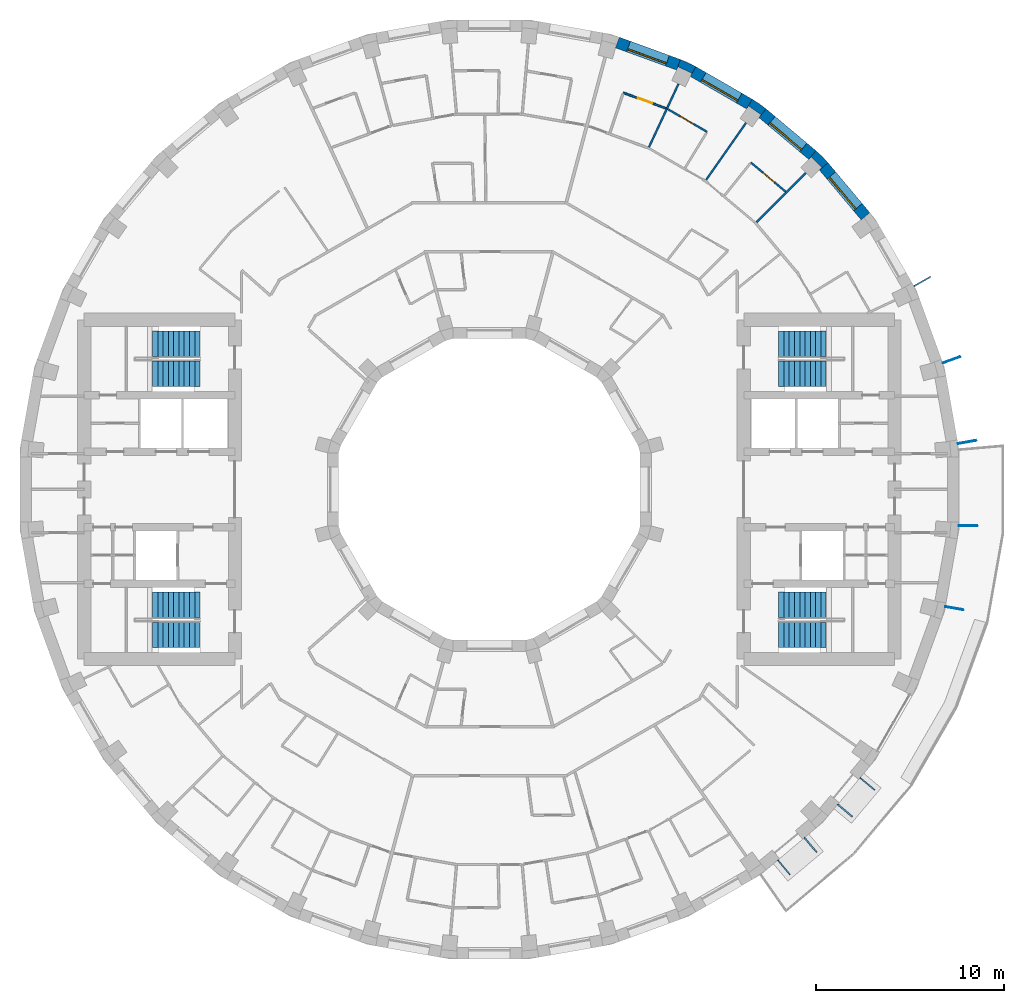
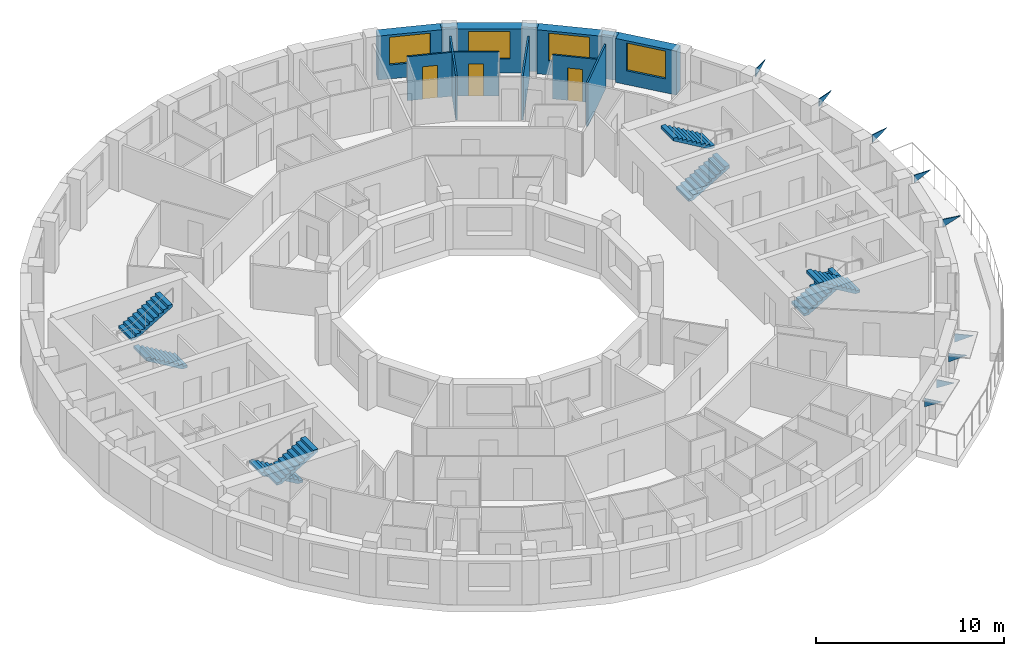
# One storey, part 13 of 14: 13 walls, 9 discrete accessories, 8 stair flights, 4 windows, 3 doors, 7 openings, 4 elements without a shape of their own.
"""IFC4 building model written with IfcOpenShell, lengths in metres."""

from ifc_helpers import new_model, si_unit, direction, frame, frame_2d, origin, place, context, subcontext, project, spatial, polyline, rectangle, outline, extrude, material, layer, layer_set, type_object, element, fill, aggregate, save


model = new_model("IFC4")

# Units and contexts
model_context = context("Model", 3, precision=1e-05, world=origin(), true_north=direction((0.0, 1.0)))
body_context = subcontext(model_context, "Body", "Model", "MODEL_VIEW")
ifc_project = project(units=[si_unit("LENGTHUNIT", "METRE"), si_unit("AREAUNIT", "SQUARE_METRE"), si_unit("VOLUMEUNIT", "CUBIC_METRE"), si_unit("PLANEANGLEUNIT", "RADIAN"), si_unit("MASSUNIT", "GRAM", prefix="KILO")], contexts=[model_context])

# Site, building, storey
site_placement = place(None, origin())
site = spatial("IfcSite", under=ifc_project, at=site_placement, CompositionType="ELEMENT")
building_placement = place(site_placement, origin())
building = spatial("IfcBuilding", under=site, at=building_placement, Name="Saqina Gate Tower", CompositionType="ELEMENT")
storey_placement = place(building_placement, frame((0.0, 0.0, 177.300048828125)))
storey = spatial("IfcBuildingStorey", under=building, at=storey_placement, Name="L50", CompositionType="ELEMENT", Elevation=177.300048828125)

# Walls
ifc_material_1 = material(Name="Brick masonry (buff)", Category="masonry")
wall_type_1 = type_object("IfcWallType", Name="BRICK PIER COPING BUFF", PredefinedType="SOLIDWALL", material=ifc_material_1)
wall_1_placement = place(storey_placement, origin())
element("IfcWall", 1, at=wall_1_placement, inside=storey, type_object=wall_type_1, Name="Pier cap L50 column 5", PredefinedType="SOLIDWALL", context=body_context, shape_type="SweptSolid", body=[
    extrude(outline(polyline([(17.329833984375, 17.969482421875), (16.944091796875, 17.510009765625), (17.07666015625, 17.642333984375), (17.642333984375, 17.07666015625), (17.510009765625, 16.944091796875), (17.969482421875, 17.329833984375), (17.329833984375, 17.969482421875)])), origin(), (0.0, 0.0, 1.0), 2.849853515625),
])
wall_2_placement = place(storey_placement, origin())
element("IfcWall", 2, at=wall_2_placement, inside=storey, type_object=wall_type_1, Name="Pier cap L50 column 6", PredefinedType="SOLIDWALL", context=body_context, shape_type="SweptSolid", body=[
    extrude(outline(polyline([(14.687255859375, 20.18701171875), (13.9462890625, 20.705810546875), (13.646240234375, 20.186279296875), (13.753662109375, 20.339599609375), (14.408935546875, 19.880859375), (14.301513671875, 19.727294921875), (14.687255859375, 20.18701171875)])), origin(), (0.0, 0.0, 1.0), 2.849853515625),
])
wall_3_placement = place(storey_placement, origin())
element("IfcWall", 3, at=wall_3_placement, inside=storey, type_object=wall_type_1, Name="Pier cap L50 column 7", PredefinedType="SOLIDWALL", context=body_context, shape_type="SweptSolid", body=[
    extrude(outline(polyline([(10.138916015625, 22.81298828125), (9.93359375, 22.249267578125), (10.0126953125, 22.4189453125), (10.73779296875, 22.080810546875), (10.65869140625, 21.9111328125), (10.958740234375, 22.4306640625), (10.138916015625, 22.81298828125)])), origin(), (0.0, 0.0, 1.0), 2.849853515625),
])

# Wall, opening, window
ifc_material_2 = material(Name="Brick masonry (buff)", Category="masonry")
ifc_layer_1 = layer(ifc_material_2, 0.60009765625)
ifc_layer_set_1 = layer_set([ifc_layer_1], Name="FW-BRICK-BUFF")
wall_type_2 = type_object("IfcWallType", Name="FW-BRICK-BUFF", PredefinedType="SOLIDWALL", material=ifc_layer_set_1)
wall_4_placement = place(storey_placement, frame((19.95703125, 14.494384765625, 0.0), z_axis=(0.0, 0.0, 1.0), x_axis=(-0.642770398358, 0.766058884809, 0.0)))
wall_4 = element("IfcWall", 4, at=wall_4_placement, inside=storey, type_object=wall_type_2, Name="Facade wall L50 facet 4", PredefinedType="SOLIDWALL", context=body_context, shape_type="SweptSolid", body=[
    extrude(rectangle(XDim=3.449462890625, YDim=0.60009765625, at=frame_2d((1.724609375, 0.0))), origin(), (0.0, 0.0, 1.0), 2.849853515625),
])
opening_1_placement = place(wall_4_placement, frame((0.625, 0.0, 0.89990234375)))
opening_1 = element("IfcOpeningElement", 5, at=opening_1_placement, cuts=wall_4, Name="Opening G14-W02", PredefinedType="OPENING", context=body_context, shape_type="SweptSolid", body=[
    extrude(rectangle(XDim=2.199951171875, YDim=1.800048828125, at=frame_2d((1.10009765625, 0.89990234375))), frame((0.0, 0.31201171875, 0.0), z_axis=(0.0, -1.0, 0.0), x_axis=(1.0, 0.0, 0.0)), (0.0, 0.0, 1.0), 0.6240234375),
])
ifc_material_3 = material(Name="Aluminium glazing", Category="aluminium")
window_type = type_object("IfcWindowType", Name="WN-C", PartitioningType="SINGLE_PANEL", PredefinedType="WINDOW", material=ifc_material_3)
window_1_placement = place(opening_1_placement, origin())
window_1 = element("IfcWindow", 6, at=window_1_placement, inside=storey, type_object=window_type, Name="Window L50 facet 4", OverallHeight=1.800048828125, OverallWidth=2.199951171875, PartitioningType="SINGLE_PANEL", PredefinedType="WINDOW", context=body_context, shape_type="SweptSolid", body=[
    extrude(rectangle(XDim=2.199951171875, YDim=1.800048828125, at=frame_2d((1.10009765625, 0.89990234375))), frame((0.0, 0.179931640625, 0.0), z_axis=(0.0, -1.0, 0.0), x_axis=(1.0, 0.0, 0.0)), (0.0, 0.0, 1.0), 0.06005859375),
])
fill(opening_1, window_1)

wall_5_placement = place(storey_placement, frame((17.136962890625, 17.73974609375, 0.0), z_axis=(0.0, 0.0, 1.0), x_axis=(-0.766058884809, 0.642770398358, 0.0)))
wall_5 = element("IfcWall", 7, at=wall_5_placement, inside=storey, type_object=wall_type_2, Name="Facade wall L50 facet 5", PredefinedType="SOLIDWALL", context=body_context, shape_type="SweptSolid", body=[
    extrude(rectangle(XDim=3.449462890625, YDim=0.60009765625, at=frame_2d((1.724609375, 0.0))), origin(), (0.0, 0.0, 1.0), 2.849853515625),
])
opening_2_placement = place(wall_5_placement, frame((0.625, 0.0, 0.89990234375)))
opening_2 = element("IfcOpeningElement", 8, at=opening_2_placement, cuts=wall_5, Name="Opening G14-W03", PredefinedType="OPENING", context=body_context, shape_type="SweptSolid", body=[
    extrude(rectangle(XDim=2.199951171875, YDim=1.800048828125, at=frame_2d((1.10009765625, 0.89990234375))), frame((0.0, 0.31201171875, 0.0), z_axis=(0.0, -1.0, 0.0), x_axis=(1.0, 0.0, 0.0)), (0.0, 0.0, 1.0), 0.6240234375),
])
window_2_placement = place(opening_2_placement, origin())
window_2 = element("IfcWindow", 9, at=window_2_placement, inside=storey, type_object=window_type, Name="Window L50 facet 5", OverallHeight=1.800048828125, OverallWidth=2.199951171875, PartitioningType="SINGLE_PANEL", PredefinedType="WINDOW", context=body_context, shape_type="SweptSolid", body=[
    extrude(rectangle(XDim=2.199951171875, YDim=1.800048828125, at=frame_2d((1.10009765625, 0.89990234375))), frame((0.0, 0.179931640625, 0.0), z_axis=(0.0, -1.0, 0.0), x_axis=(1.0, 0.0, 0.0)), (0.0, 0.0, 1.0), 0.06005859375),
])
fill(opening_2, window_2)

wall_6_placement = place(storey_placement, frame((13.796142578125, 20.446044921875, 0.0), z_axis=(0.0, 0.0, 1.0), x_axis=(-0.86602648383, 0.499998129301, 0.0)))
wall_6 = element("IfcWall", 10, at=wall_6_placement, inside=storey, type_object=wall_type_2, Name="Facade wall L50 facet 6", PredefinedType="SOLIDWALL", context=body_context, shape_type="SweptSolid", body=[
    extrude(rectangle(XDim=3.44970703125, YDim=0.60009765625, at=frame_2d((1.724853515625, 0.0))), origin(), (0.0, 0.0, 1.0), 2.849853515625),
])
opening_3_placement = place(wall_6_placement, frame((0.625, 0.0, 0.89990234375)))
opening_3 = element("IfcOpeningElement", 11, at=opening_3_placement, cuts=wall_6, Name="Opening G14-W04", PredefinedType="OPENING", context=body_context, shape_type="SweptSolid", body=[
    extrude(rectangle(XDim=2.199951171875, YDim=1.800048828125, at=frame_2d((1.10009765625, 0.89990234375))), frame((0.0, 0.31201171875, 0.0), z_axis=(0.0, -1.0, 0.0), x_axis=(1.0, 0.0, 0.0)), (0.0, 0.0, 1.0), 0.6240234375),
])
window_3_placement = place(opening_3_placement, origin())
window_3 = element("IfcWindow", 12, at=window_3_placement, inside=storey, type_object=window_type, Name="Window L50 facet 6", OverallHeight=1.800048828125, OverallWidth=2.199951171875, PartitioningType="SINGLE_PANEL", PredefinedType="WINDOW", context=body_context, shape_type="SweptSolid", body=[
    extrude(rectangle(XDim=2.199951171875, YDim=1.800048828125, at=frame_2d((1.10009765625, 0.89990234375))), frame((0.0, 0.179931640625, 0.0), z_axis=(0.0, -1.0, 0.0), x_axis=(1.0, 0.0, 0.0)), (0.0, 0.0, 1.0), 0.06005859375),
])
fill(opening_3, window_3)

wall_7_placement = place(storey_placement, frame((10.0361328125, 22.531005859375, 0.0), z_axis=(0.0, 0.0, 1.0), x_axis=(-0.93968799822, 0.342032843455, 0.0)))
wall_7 = element("IfcWall", 13, at=wall_7_placement, inside=storey, type_object=wall_type_2, Name="Facade wall L50 facet 7", PredefinedType="SOLIDWALL", context=body_context, shape_type="SweptSolid", body=[
    extrude(rectangle(XDim=3.44970703125, YDim=0.60009765625, at=frame_2d((1.724853515625, 0.0))), origin(), (0.0, 0.0, 1.0), 2.849853515625),
])
opening_4_placement = place(wall_7_placement, frame((0.625, 0.0, 0.89990234375)))
opening_4 = element("IfcOpeningElement", 14, at=opening_4_placement, cuts=wall_7, Name="Opening G14-W05", PredefinedType="OPENING", context=body_context, shape_type="SweptSolid", body=[
    extrude(rectangle(XDim=2.199951171875, YDim=1.800048828125, at=frame_2d((1.10009765625, 0.89990234375))), frame((0.0, 0.31201171875, 0.0), z_axis=(0.0, -1.0, 0.0), x_axis=(1.0, 0.0, 0.0)), (0.0, 0.0, 1.0), 0.6240234375),
])
window_4_placement = place(opening_4_placement, origin())
window_4 = element("IfcWindow", 15, at=window_4_placement, inside=storey, type_object=window_type, Name="Window L50 facet 7", OverallHeight=1.800048828125, OverallWidth=2.199951171875, PartitioningType="SINGLE_PANEL", PredefinedType="WINDOW", context=body_context, shape_type="SweptSolid", body=[
    extrude(rectangle(XDim=2.199951171875, YDim=1.800048828125, at=frame_2d((1.10009765625, 0.89990234375))), frame((0.0, 0.179931640625, 0.0), z_axis=(0.0, -1.0, 0.0), x_axis=(1.0, 0.0, 0.0)), (0.0, 0.0, 1.0), 0.06005859375),
])
fill(opening_4, window_4)

# Wall, opening, door
ifc_material_4 = material(Name="Gypsum board on steel studs, 100 mm", Category="steel")
ifc_layer_2 = layer(ifc_material_4, 0.10009765625)
ifc_layer_set_2 = layer_set([ifc_layer_2], Name="PARTITION 100")
wall_type_3 = type_object("IfcWallType", Name="PARTITION 100", PredefinedType="PARTITIONING", material=ifc_layer_set_2)
wall_8_placement = place(storey_placement, frame((13.876953125, 17.342041015625, 0.0), z_axis=(0.0, 0.0, 1.0), x_axis=(0.766024146731, -0.642811797204, 0.0)))
wall_8 = element("IfcWall", 16, at=wall_8_placement, inside=storey, type_object=wall_type_3, Name="PARTITION PW3-31", PredefinedType="PARTITIONING", context=body_context, shape_type="SweptSolid", body=[
    extrude(rectangle(XDim=2.409423828125, YDim=0.10009765625, at=frame_2d((1.20458984375, 0.0))), origin(), (0.0, 0.0, 1.0), 2.849853515625),
])
opening_5_placement = place(wall_8_placement, frame((0.82958984375, 0.0, 0.0)))
opening_5 = element("IfcOpeningElement", 17, at=opening_5_placement, cuts=wall_8, Name="Opening G14-D04", PredefinedType="OPENING", context=body_context, shape_type="SweptSolid", body=[
    extrude(rectangle(XDim=0.800048828125, YDim=2.10009765625, at=frame_2d((0.39990234375, 1.050048828125))), frame((0.0, 0.06201171875, 0.0), z_axis=(0.0, -1.0, 0.0), x_axis=(1.0, 0.0, 0.0)), (0.0, 0.0, 1.0), 0.1240234375),
])
ifc_material_5 = material(Name="Timber door leaf, 800 mm", Category="wood")
door_type = type_object("IfcDoorType", Name="DOOR 800 TIMBER", OperationType="SINGLE_SWING_LEFT", PredefinedType="DOOR", material=ifc_material_5)
door_1_placement = place(opening_5_placement, origin())
door_1 = element("IfcDoor", 18, at=door_1_placement, inside=storey, type_object=door_type, Name="DOOR G14-D04", OperationType="SINGLE_SWING_RIGHT", OverallHeight=2.10009765625, OverallWidth=0.800048828125, PredefinedType="DOOR", context=body_context, shape_type="SweptSolid", body=[
    extrude(rectangle(XDim=0.800048828125, YDim=2.10009765625, at=frame_2d((0.39990234375, 1.050048828125))), frame((0.0, 0.02490234375, 0.0), z_axis=(0.0, -1.0, 0.0), x_axis=(1.0, 0.0, 0.0)), (0.0, 0.0, 1.0), 0.050048828125),
])
fill(opening_5, door_1)

wall_9_placement = place(storey_placement, frame((9.46337890625, 20.176025390625, 0.0), z_axis=(0.0, 0.0, 1.0), x_axis=(0.866140030745, -0.499801407703, 0.0)))
wall_9 = element("IfcWall", 19, at=wall_9_placement, inside=storey, type_object=wall_type_3, Name="PARTITION PW3-41", PredefinedType="PARTITIONING", context=body_context, shape_type="SweptSolid", body=[
    extrude(rectangle(XDim=2.4091796875, YDim=0.10009765625, at=frame_2d((1.20458984375, 0.0))), origin(), (0.0, 0.0, 1.0), 2.849853515625),
])
opening_6_placement = place(wall_9_placement, frame((0.779541015625, 0.0, 0.0)))
opening_6 = element("IfcOpeningElement", 20, at=opening_6_placement, cuts=wall_9, Name="Opening G14-D10", PredefinedType="OPENING", context=body_context, shape_type="SweptSolid", body=[
    extrude(rectangle(XDim=0.800048828125, YDim=2.10009765625, at=frame_2d((0.39990234375, 1.050048828125))), frame((0.0, 0.06201171875, 0.0), z_axis=(0.0, -1.0, 0.0), x_axis=(1.0, 0.0, 0.0)), (0.0, 0.0, 1.0), 0.1240234375),
])
door_2_placement = place(opening_6_placement, origin())
door_2 = element("IfcDoor", 21, at=door_2_placement, inside=storey, type_object=door_type, Name="DOOR G14-D10", OperationType="SINGLE_SWING_LEFT", OverallHeight=2.10009765625, OverallWidth=0.800048828125, PredefinedType="DOOR", context=body_context, shape_type="SweptSolid", body=[
    extrude(rectangle(XDim=0.800048828125, YDim=2.10009765625, at=frame_2d((0.39990234375, 1.050048828125))), frame((0.0, 0.02490234375, 0.0), z_axis=(0.0, -1.0, 0.0), x_axis=(1.0, 0.0, 0.0)), (0.0, 0.0, 1.0), 0.050048828125),
])
fill(opening_6, door_2)

wall_10_placement = place(storey_placement, frame((7.10888671875, 21.0419921875, 0.0), z_axis=(0.0, 0.0, 1.0), x_axis=(0.939707598657, -0.34197898916, 0.0)))
wall_10 = element("IfcWall", 22, at=wall_10_placement, inside=storey, type_object=wall_type_3, Name="PARTITION PW3-45", PredefinedType="PARTITIONING", context=body_context, shape_type="SweptSolid", body=[
    extrude(rectangle(XDim=2.409423828125, YDim=0.10009765625, at=frame_2d((1.20458984375, 0.0))), origin(), (0.0, 0.0, 1.0), 2.849853515625),
])
opening_7_placement = place(wall_10_placement, frame((0.82958984375, 0.0, 0.0)))
opening_7 = element("IfcOpeningElement", 23, at=opening_7_placement, cuts=wall_10, Name="Opening G14-D12", PredefinedType="OPENING", context=body_context, shape_type="SweptSolid", body=[
    extrude(rectangle(XDim=0.800048828125, YDim=2.10009765625, at=frame_2d((0.39990234375, 1.050048828125))), frame((0.0, 0.06201171875, 0.0), z_axis=(0.0, -1.0, 0.0), x_axis=(1.0, 0.0, 0.0)), (0.0, 0.0, 1.0), 0.1240234375),
])
door_3_placement = place(opening_7_placement, origin())
door_3 = element("IfcDoor", 24, at=door_3_placement, inside=storey, type_object=door_type, Name="DOOR G14-D12", OperationType="SINGLE_SWING_RIGHT", OverallHeight=2.10009765625, OverallWidth=0.800048828125, PredefinedType="DOOR", context=body_context, shape_type="SweptSolid", body=[
    extrude(rectangle(XDim=0.800048828125, YDim=2.10009765625, at=frame_2d((0.39990234375, 1.050048828125))), frame((0.0, 0.02490234375, 0.0), z_axis=(0.0, -1.0, 0.0), x_axis=(1.0, 0.0, 0.0)), (0.0, 0.0, 1.0), 0.050048828125),
])
fill(opening_7, door_3)

# Walls
wall_11_placement = place(storey_placement, frame((14.173095703125, 14.173095703125, 0.0), z_axis=(0.0, 0.0, 1.0), x_axis=(0.707106781187, 0.707106781187, 0.0)))
element("IfcWall", 25, at=wall_11_placement, inside=storey, type_object=wall_type_3, Name="PARTITION PW3-81", PredefinedType="PARTITIONING", context=body_context, shape_type="SweptSolid", body=[
    extrude(rectangle(XDim=3.696044921875, YDim=0.10009765625, at=frame_2d((1.84814453125, 0.0))), origin(), (0.0, 0.0, 1.0), 2.849853515625),
])
wall_12_placement = place(storey_placement, frame((11.496826171875, 16.418212890625, 0.0), z_axis=(0.0, 0.0, 1.0), x_axis=(0.573515531974, 0.819194686619, 0.0)))
element("IfcWall", 26, at=wall_12_placement, inside=storey, type_object=wall_type_3, Name="PARTITION PW3-89", PredefinedType="PARTITIONING", context=body_context, shape_type="SweptSolid", body=[
    extrude(rectangle(XDim=3.69677734375, YDim=0.10009765625, at=frame_2d((1.848388671875, 0.0))), origin(), (0.0, 0.0, 1.0), 2.849853515625),
])
wall_13_placement = place(storey_placement, frame((8.465087890625, 18.154296875, 0.0), z_axis=(0.0, 0.0, 1.0), x_axis=(0.42277375715, 0.906235262096, 0.0)))
element("IfcWall", 27, at=wall_13_placement, inside=storey, type_object=wall_type_3, Name="PARTITION PW3-94", PredefinedType="PARTITIONING", context=body_context, shape_type="SweptSolid", body=[
    extrude(rectangle(XDim=3.709228515625, YDim=0.10009765625, at=frame_2d((1.8544921875, 0.0))), origin(), (0.0, 0.0, 1.0), 2.849853515625),
])

# Stair, stair flights
ifc_material_6 = material(Name="Concrete C40/50", Category="concrete")
stair_type = type_object("IfcStairType", Name="EXIT STAIR", PredefinedType="HALF_TURN_STAIR", material=ifc_material_6)
stair_1_placement = place(storey_placement, origin())
stair_1 = element("IfcStair", 28, at=stair_1_placement, inside=storey, type_object=stair_type, Name="EXIT STAIR 1", PredefinedType="HALF_TURN_STAIR")
ifc_material_7 = material(Name="Concrete C40/50", Category="concrete")
stair_flight_type = type_object("IfcStairFlightType", Name="EXIT STAIR FLIGHT", PredefinedType="STRAIGHT", material=ifc_material_7)
stair_flight_1_placement = place(storey_placement, frame((15.35009765625, 6.125, 0.0), z_axis=(0.0, 0.0, 1.0), x_axis=(1.0, 0.0, 0.0)))
stair_flight_1 = element("IfcStairFlight", 29, at=stair_flight_1_placement, type_object=stair_flight_type, Name="EXIT STAIR 1 FLIGHT 1", NumberOfRisers=10, NumberOfTreads=9, PredefinedType="STRAIGHT", RiserHeight=0.165, TreadLength=0.28, context=body_context, shape_type="SweptSolid", body=[
    extrude(outline(polyline([(0.0, 0.0), (0.0, 0.1650390625), (0.280029296875, 0.1650390625), (0.280029296875, 0.330078125), (0.56005859375, 0.330078125), (0.56005859375, 0.4951171875), (0.840087890625, 0.4951171875), (0.840087890625, 0.659912109375), (1.1201171875, 0.659912109375), (1.1201171875, 0.824951171875), (1.39990234375, 0.824951171875), (1.39990234375, 0.989990234375), (1.679931640625, 0.989990234375), (1.679931640625, 1.155029296875), (1.9599609375, 1.155029296875), (1.9599609375, 1.320068359375), (2.239990234375, 1.320068359375), (2.239990234375, 1.485107421875), (2.52001953125, 1.485107421875), (2.52001953125, 1.64990234375), (2.52001953125, 1.31103515625), (0.295166015625, 0.0), (0.0, 0.0)])), frame((0.0, 0.675048828125, 0.0), z_axis=(0.0, -1.0, 0.0), x_axis=(1.0, 0.0, 0.0)), (0.0, 0.0, 1.0), 1.35009765625),
])
stair_flight_2_placement = place(storey_placement, frame((17.8701171875, 7.72509765625, 1.64990234375), z_axis=(0.0, 0.0, 1.0), x_axis=(-1.0, 0.0, 0.0)))
stair_flight_2 = element("IfcStairFlight", 30, at=stair_flight_2_placement, type_object=stair_flight_type, Name="EXIT STAIR 1 FLIGHT 2", NumberOfRisers=10, NumberOfTreads=9, PredefinedType="STRAIGHT", RiserHeight=0.165, TreadLength=0.28, context=body_context, shape_type="SweptSolid", body=[
    extrude(outline(polyline([(0.0, 0.0), (0.0, 0.1650390625), (0.280029296875, 0.1650390625), (0.280029296875, 0.330078125), (0.56005859375, 0.330078125), (0.56005859375, 0.4951171875), (0.840087890625, 0.4951171875), (0.840087890625, 0.659912109375), (1.1201171875, 0.659912109375), (1.1201171875, 0.824951171875), (1.39990234375, 0.824951171875), (1.39990234375, 0.989990234375), (1.679931640625, 0.989990234375), (1.679931640625, 1.155029296875), (1.9599609375, 1.155029296875), (1.9599609375, 1.320068359375), (2.239990234375, 1.320068359375), (2.239990234375, 1.485107421875), (2.52001953125, 1.485107421875), (2.52001953125, 1.64990234375), (2.52001953125, 1.31103515625), (0.295166015625, 0.0), (0.0, 0.0)])), frame((0.0, 0.675048828125, 0.0), z_axis=(0.0, -1.0, 0.0), x_axis=(1.0, 0.0, 0.0)), (0.0, 0.0, 1.0), 1.35009765625),
])
aggregate(stair_1, [stair_flight_1, stair_flight_2])

stair_2_placement = place(storey_placement, origin())
stair_2 = element("IfcStair", 31, at=stair_2_placement, inside=storey, type_object=stair_type, Name="EXIT STAIR 2", PredefinedType="HALF_TURN_STAIR")
stair_flight_3_placement = place(storey_placement, frame((15.35009765625, -6.125, 0.0), z_axis=(0.0, 0.0, 1.0), x_axis=(1.0, 0.0, 0.0)))
stair_flight_3 = element("IfcStairFlight", 32, at=stair_flight_3_placement, type_object=stair_flight_type, Name="EXIT STAIR 2 FLIGHT 1", NumberOfRisers=10, NumberOfTreads=9, PredefinedType="STRAIGHT", RiserHeight=0.165, TreadLength=0.28, context=body_context, shape_type="SweptSolid", body=[
    extrude(outline(polyline([(0.0, 0.0), (0.0, 0.1650390625), (0.280029296875, 0.1650390625), (0.280029296875, 0.330078125), (0.56005859375, 0.330078125), (0.56005859375, 0.4951171875), (0.840087890625, 0.4951171875), (0.840087890625, 0.659912109375), (1.1201171875, 0.659912109375), (1.1201171875, 0.824951171875), (1.39990234375, 0.824951171875), (1.39990234375, 0.989990234375), (1.679931640625, 0.989990234375), (1.679931640625, 1.155029296875), (1.9599609375, 1.155029296875), (1.9599609375, 1.320068359375), (2.239990234375, 1.320068359375), (2.239990234375, 1.485107421875), (2.52001953125, 1.485107421875), (2.52001953125, 1.64990234375), (2.52001953125, 1.31103515625), (0.295166015625, 0.0), (0.0, 0.0)])), frame((0.0, 0.675048828125, 0.0), z_axis=(0.0, -1.0, 0.0), x_axis=(1.0, 0.0, 0.0)), (0.0, 0.0, 1.0), 1.35009765625),
])
stair_flight_4_placement = place(storey_placement, frame((17.8701171875, -7.72509765625, 1.64990234375), z_axis=(0.0, 0.0, 1.0), x_axis=(-1.0, 0.0, 0.0)))
stair_flight_4 = element("IfcStairFlight", 33, at=stair_flight_4_placement, type_object=stair_flight_type, Name="EXIT STAIR 2 FLIGHT 2", NumberOfRisers=10, NumberOfTreads=9, PredefinedType="STRAIGHT", RiserHeight=0.165, TreadLength=0.28, context=body_context, shape_type="SweptSolid", body=[
    extrude(outline(polyline([(0.0, 0.0), (0.0, 0.1650390625), (0.280029296875, 0.1650390625), (0.280029296875, 0.330078125), (0.56005859375, 0.330078125), (0.56005859375, 0.4951171875), (0.840087890625, 0.4951171875), (0.840087890625, 0.659912109375), (1.1201171875, 0.659912109375), (1.1201171875, 0.824951171875), (1.39990234375, 0.824951171875), (1.39990234375, 0.989990234375), (1.679931640625, 0.989990234375), (1.679931640625, 1.155029296875), (1.9599609375, 1.155029296875), (1.9599609375, 1.320068359375), (2.239990234375, 1.320068359375), (2.239990234375, 1.485107421875), (2.52001953125, 1.485107421875), (2.52001953125, 1.64990234375), (2.52001953125, 1.31103515625), (0.295166015625, 0.0), (0.0, 0.0)])), frame((0.0, 0.675048828125, 0.0), z_axis=(0.0, -1.0, 0.0), x_axis=(1.0, 0.0, 0.0)), (0.0, 0.0, 1.0), 1.35009765625),
])
aggregate(stair_2, [stair_flight_3, stair_flight_4])

stair_3_placement = place(storey_placement, origin())
stair_3 = element("IfcStair", 34, at=stair_3_placement, inside=storey, type_object=stair_type, Name="EXIT STAIR 3", PredefinedType="HALF_TURN_STAIR")
stair_flight_5_placement = place(storey_placement, frame((-15.35009765625, 6.125, 0.0), z_axis=(0.0, 0.0, 1.0), x_axis=(-1.0, 0.0, 0.0)))
stair_flight_5 = element("IfcStairFlight", 35, at=stair_flight_5_placement, type_object=stair_flight_type, Name="EXIT STAIR 3 FLIGHT 1", NumberOfRisers=10, NumberOfTreads=9, PredefinedType="STRAIGHT", RiserHeight=0.165, TreadLength=0.28, context=body_context, shape_type="SweptSolid", body=[
    extrude(outline(polyline([(0.0, 0.0), (0.0, 0.1650390625), (0.280029296875, 0.1650390625), (0.280029296875, 0.330078125), (0.56005859375, 0.330078125), (0.56005859375, 0.4951171875), (0.840087890625, 0.4951171875), (0.840087890625, 0.659912109375), (1.1201171875, 0.659912109375), (1.1201171875, 0.824951171875), (1.39990234375, 0.824951171875), (1.39990234375, 0.989990234375), (1.679931640625, 0.989990234375), (1.679931640625, 1.155029296875), (1.9599609375, 1.155029296875), (1.9599609375, 1.320068359375), (2.239990234375, 1.320068359375), (2.239990234375, 1.485107421875), (2.52001953125, 1.485107421875), (2.52001953125, 1.64990234375), (2.52001953125, 1.31103515625), (0.295166015625, 0.0), (0.0, 0.0)])), frame((0.0, 0.675048828125, 0.0), z_axis=(0.0, -1.0, 0.0), x_axis=(1.0, 0.0, 0.0)), (0.0, 0.0, 1.0), 1.35009765625),
])
stair_flight_6_placement = place(storey_placement, frame((-17.8701171875, 7.72509765625, 1.64990234375), z_axis=(0.0, 0.0, 1.0), x_axis=(1.0, 0.0, 0.0)))
stair_flight_6 = element("IfcStairFlight", 36, at=stair_flight_6_placement, type_object=stair_flight_type, Name="EXIT STAIR 3 FLIGHT 2", NumberOfRisers=10, NumberOfTreads=9, PredefinedType="STRAIGHT", RiserHeight=0.165, TreadLength=0.28, context=body_context, shape_type="SweptSolid", body=[
    extrude(outline(polyline([(0.0, 0.0), (0.0, 0.1650390625), (0.280029296875, 0.1650390625), (0.280029296875, 0.330078125), (0.56005859375, 0.330078125), (0.56005859375, 0.4951171875), (0.840087890625, 0.4951171875), (0.840087890625, 0.659912109375), (1.1201171875, 0.659912109375), (1.1201171875, 0.824951171875), (1.39990234375, 0.824951171875), (1.39990234375, 0.989990234375), (1.679931640625, 0.989990234375), (1.679931640625, 1.155029296875), (1.9599609375, 1.155029296875), (1.9599609375, 1.320068359375), (2.239990234375, 1.320068359375), (2.239990234375, 1.485107421875), (2.52001953125, 1.485107421875), (2.52001953125, 1.64990234375), (2.52001953125, 1.31103515625), (0.295166015625, 0.0), (0.0, 0.0)])), frame((0.0, 0.675048828125, 0.0), z_axis=(0.0, -1.0, 0.0), x_axis=(1.0, 0.0, 0.0)), (0.0, 0.0, 1.0), 1.35009765625),
])
aggregate(stair_3, [stair_flight_5, stair_flight_6])

stair_4_placement = place(storey_placement, origin())
stair_4 = element("IfcStair", 37, at=stair_4_placement, inside=storey, type_object=stair_type, Name="EXIT STAIR 4", PredefinedType="HALF_TURN_STAIR")
stair_flight_7_placement = place(storey_placement, frame((-15.35009765625, -6.125, 0.0), z_axis=(0.0, 0.0, 1.0), x_axis=(-1.0, 0.0, 0.0)))
stair_flight_7 = element("IfcStairFlight", 38, at=stair_flight_7_placement, type_object=stair_flight_type, Name="EXIT STAIR 4 FLIGHT 1", NumberOfRisers=10, NumberOfTreads=9, PredefinedType="STRAIGHT", RiserHeight=0.165, TreadLength=0.28, context=body_context, shape_type="SweptSolid", body=[
    extrude(outline(polyline([(0.0, 0.0), (0.0, 0.1650390625), (0.280029296875, 0.1650390625), (0.280029296875, 0.330078125), (0.56005859375, 0.330078125), (0.56005859375, 0.4951171875), (0.840087890625, 0.4951171875), (0.840087890625, 0.659912109375), (1.1201171875, 0.659912109375), (1.1201171875, 0.824951171875), (1.39990234375, 0.824951171875), (1.39990234375, 0.989990234375), (1.679931640625, 0.989990234375), (1.679931640625, 1.155029296875), (1.9599609375, 1.155029296875), (1.9599609375, 1.320068359375), (2.239990234375, 1.320068359375), (2.239990234375, 1.485107421875), (2.52001953125, 1.485107421875), (2.52001953125, 1.64990234375), (2.52001953125, 1.31103515625), (0.295166015625, 0.0), (0.0, 0.0)])), frame((0.0, 0.675048828125, 0.0), z_axis=(0.0, -1.0, 0.0), x_axis=(1.0, 0.0, 0.0)), (0.0, 0.0, 1.0), 1.35009765625),
])
stair_flight_8_placement = place(storey_placement, frame((-17.8701171875, -7.72509765625, 1.64990234375), z_axis=(0.0, 0.0, 1.0), x_axis=(1.0, 0.0, 0.0)))
stair_flight_8 = element("IfcStairFlight", 39, at=stair_flight_8_placement, type_object=stair_flight_type, Name="EXIT STAIR 4 FLIGHT 2", NumberOfRisers=10, NumberOfTreads=9, PredefinedType="STRAIGHT", RiserHeight=0.165, TreadLength=0.28, context=body_context, shape_type="SweptSolid", body=[
    extrude(outline(polyline([(0.0, 0.0), (0.0, 0.1650390625), (0.280029296875, 0.1650390625), (0.280029296875, 0.330078125), (0.56005859375, 0.330078125), (0.56005859375, 0.4951171875), (0.840087890625, 0.4951171875), (0.840087890625, 0.659912109375), (1.1201171875, 0.659912109375), (1.1201171875, 0.824951171875), (1.39990234375, 0.824951171875), (1.39990234375, 0.989990234375), (1.679931640625, 0.989990234375), (1.679931640625, 1.155029296875), (1.9599609375, 1.155029296875), (1.9599609375, 1.320068359375), (2.239990234375, 1.320068359375), (2.239990234375, 1.485107421875), (2.52001953125, 1.485107421875), (2.52001953125, 1.64990234375), (2.52001953125, 1.31103515625), (0.295166015625, 0.0), (0.0, 0.0)])), frame((0.0, 0.675048828125, 0.0), z_axis=(0.0, -1.0, 0.0), x_axis=(1.0, 0.0, 0.0)), (0.0, 0.0, 1.0), 1.35009765625),
])
aggregate(stair_4, [stair_flight_7, stair_flight_8])

# Discrete accessories
ifc_material_8 = material(Name="Galvanised steel", Category="steel")
ifc_layer_3 = layer(ifc_material_8, 0.050048828125)
ifc_layer_set_3 = layer_set([ifc_layer_3], Name="BR-AWNING")
discrete_accessory_type_1 = type_object("IfcDiscreteAccessoryType", Name="BR-AWNING", PredefinedType="BRACKET", material=ifc_layer_set_3)
for number, where, z_axis, x_axis, name in (
    (40, (15.319091796875, -19.65673828125, 1.974853515625), (0.765954930181, 0.642894271969, 0.0), (0.0, 0.0, 1.0), "Awning bracket L50 facet 31"),
    (41, (16.736083984375, -18.4677734375, 1.974853515625), (0.765954930181, 0.642894271969, 0.0), (0.0, 0.0, 1.0), "Awning bracket L50 facet 31"),
):
    element("IfcDiscreteAccessory", number, at=place(storey_placement, frame(where, z_axis=z_axis, x_axis=x_axis)), inside=storey, type_object=discrete_accessory_type_1, Name=name, PredefinedType="BRACKET", context=body_context, shape_type="SweptSolid", body=[
        extrude(outline(polyline([(0.0, 0.0), (0.550048828125, 0.0), (0.550048828125, 0.9998879966000863), (0.0, 0.0)])), origin(), (0.0, 0.0, -1.0), 0.050048828125),
    ])
discrete_accessory_1_placement = place(storey_placement, frame((18.499755859375, -16.697998046875, 1.974853515625), z_axis=(0.64277405138, 0.766055819685, 0.0), x_axis=(0.0, 0.0, 1.0)))
element("IfcDiscreteAccessory", 42, at=discrete_accessory_1_placement, inside=storey, type_object=discrete_accessory_type_1, Name="Awning bracket L50 facet 32", PredefinedType="BRACKET", context=body_context, shape_type="SweptSolid", body=[
    extrude(outline(polyline([(0.0, 0.0), (0.550048828125, 0.0), (0.550048828125, 1.0000750096322273), (0.0, 0.0)])), origin(), (0.0, 0.0, -1.0), 0.050048828125),
])
discrete_accessory_2_placement = place(storey_placement, frame((19.688720703125, -15.281005859375, 1.974853515625), z_axis=(0.642630756546, 0.766176031171, 0.0), x_axis=(0.0, 0.0, 1.0)))
element("IfcDiscreteAccessory", 43, at=discrete_accessory_2_placement, inside=storey, type_object=discrete_accessory_type_1, Name="Awning bracket L50 facet 32", PredefinedType="BRACKET", context=body_context, shape_type="SweptSolid", body=[
    extrude(outline(polyline([(0.0, 0.0), (0.550048828125, 0.0), (0.550048828125, 0.9999180998642625), (0.0, 0.0)])), origin(), (0.0, 0.0, -1.0), 0.050048828125),
])
ifc_material_9 = material(Name="Galvanised steel", Category="steel")
ifc_layer_4 = layer(ifc_material_9, 0.050048828125)
ifc_layer_set_4 = layer_set([ifc_layer_4], Name="BR-GUSSET")
discrete_accessory_type_2 = type_object("IfcDiscreteAccessoryType", Name="BR-GUSSET", PredefinedType="BRACKET", material=ifc_layer_set_4)
discrete_accessory_3_placement = place(storey_placement, frame((24.19580078125, -6.19970703125, 2.349853515625), z_axis=(0.173576426815, 0.984820401928, 0.0), x_axis=(0.0, 0.0, 1.0)))
element("IfcDiscreteAccessory", 44, at=discrete_accessory_3_placement, inside=storey, type_object=discrete_accessory_type_2, Name="Terrace slab bracket L51 1", PredefinedType="BRACKET", context=body_context, shape_type="SweptSolid", body=[
    extrude(outline(polyline([(0.0, 0.0), (0.5, 0.0), (0.5, 1.000043540245132), (0.0, 0.0)])), origin(), (0.0, 0.0, -1.0), 0.050048828125),
])
discrete_accessory_4_placement = place(storey_placement, frame((24.90478515625, -1.90380859375, 2.349853515625), z_axis=(0.0, 1.0, 0.0), x_axis=(0.0, 0.0, 1.0)))
element("IfcDiscreteAccessory", 45, at=discrete_accessory_4_placement, inside=storey, type_object=discrete_accessory_type_2, Name="Terrace slab bracket L51 2", PredefinedType="BRACKET", context=body_context, shape_type="SweptSolid", body=[
    extrude(outline(polyline([(0.0, 0.0), (0.5, 0.0), (0.5, 1.0), (0.0, 0.0)])), origin(), (0.0, 0.0, -1.0), 0.050048828125),
])
discrete_accessory_5_placement = place(storey_placement, frame((24.857177734375, 2.44970703125, 2.349853515625), z_axis=(-0.173618168668, 0.984813043937, 0.0), x_axis=(0.0, 0.0, 1.0)))
element("IfcDiscreteAccessory", 46, at=discrete_accessory_5_placement, inside=storey, type_object=discrete_accessory_type_2, Name="Terrace slab bracket L51 3", PredefinedType="BRACKET", context=body_context, shape_type="SweptSolid", body=[
    extrude(outline(polyline([(0.0, 0.0), (0.5, 0.0), (0.5, 0.9998031064747768), (0.0, 0.0)])), origin(), (0.0, 0.0, -1.0), 0.050048828125),
])
discrete_accessory_6_placement = place(storey_placement, frame((24.05419921875, 6.72900390625, 2.349853515625), z_axis=(-0.341821477669, 0.939764905391, 0.0), x_axis=(0.0, 0.0, 1.0)))
element("IfcDiscreteAccessory", 47, at=discrete_accessory_6_placement, inside=storey, type_object=discrete_accessory_type_2, Name="Terrace slab bracket L51 4", PredefinedType="BRACKET", context=body_context, shape_type="SweptSolid", body=[
    extrude(outline(polyline([(0.0, 0.0), (0.5, 0.0), (0.5, 0.999928024801219), (0.0, 0.0)])), origin(), (0.0, 0.0, -1.0), 0.050048828125),
])
discrete_accessory_7_placement = place(storey_placement, frame((22.520263671875, 10.8037109375, 2.349853515625), z_axis=(-0.50002537861, 0.866010750942, 0.0), x_axis=(0.0, 0.0, 1.0)))
element("IfcDiscreteAccessory", 48, at=discrete_accessory_7_placement, inside=storey, type_object=discrete_accessory_type_2, Name="Terrace slab bracket L51 5", PredefinedType="BRACKET", context=body_context, shape_type="SweptSolid", body=[
    extrude(outline(polyline([(0.0, 0.0), (0.5, 0.0), (0.5, 0.9999492453569568), (0.0, 0.0)])), origin(), (0.0, 0.0, -1.0), 0.050048828125),
])

save(model, "model.ifc")
